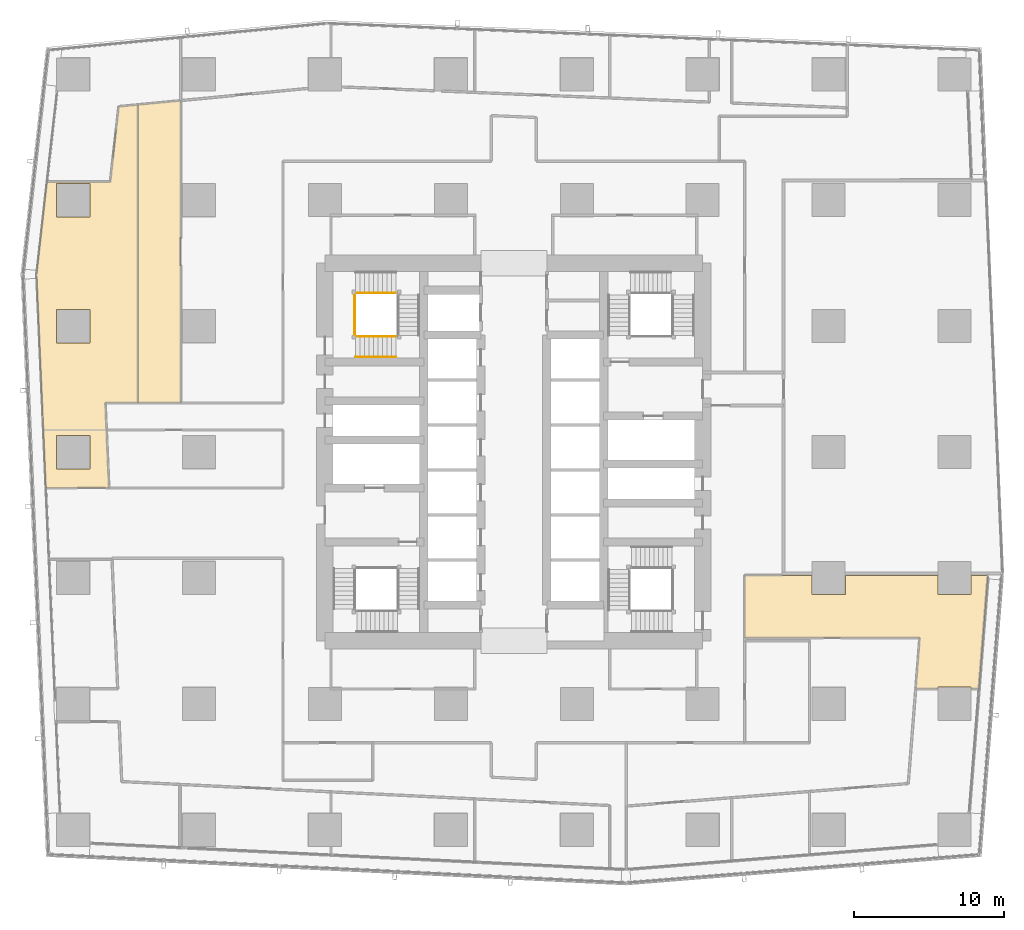
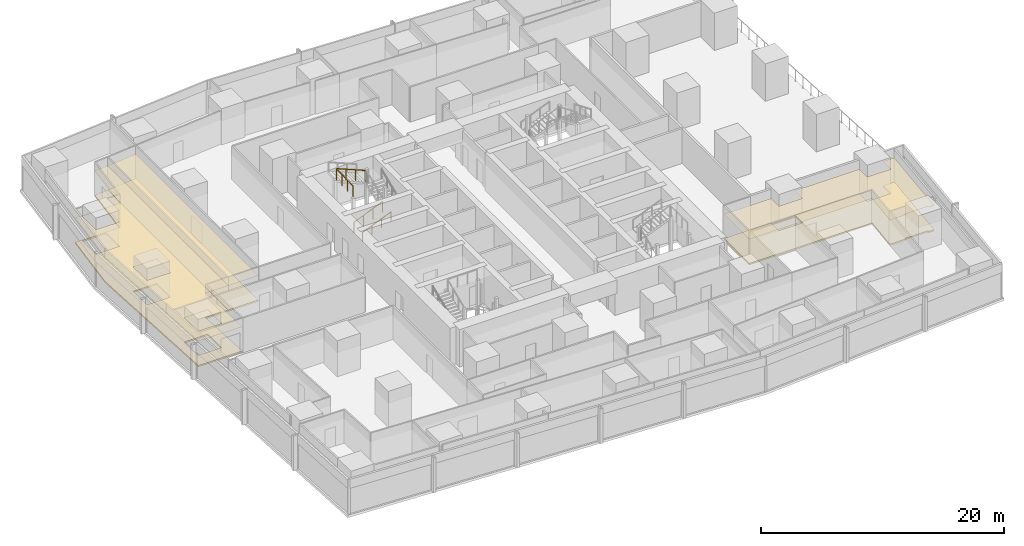
# One storey, part 38 of 42: 6 coverings, 4 railings.
"""IFC4 building model written with IfcOpenShell, lengths in metres."""

import ifcopenshell
import ifcopenshell.guid

model = None  # the IFC model being written
_history = None  # IfcOwnerHistory: only IFC2X3 demands one
_inside = {}  # id of a spatial element -> (the spatial element, [elements in it])
_under = {}  # id of a project, library or spatial element -> (it, [spatial elements below it])
_declared = {}  # id of a project -> (the project, [libraries it declares])
_typed = {}  # id of a type object -> (the type object, [elements of that type])
_made_of = {}  # id of a material, layer set ... -> (it, [elements and type objects made of it])


def new_model(schema):
    """Start an empty IFC model of exactly this schema.

    Asked for "IFC4X3", IfcOpenShell would pick the latest addendum, in which some entities
    have other attributes; the version numbers below select the first issue.
    IFC2X3 requires an IfcOwnerHistory on every rooted entity: one is made here for all.
    """
    global model, _history
    if schema == "IFC4X3":
        model = ifcopenshell.file(schema_version=(4, 3, 0, 0))
    else:
        model = ifcopenshell.file(schema=schema)
    _inside.clear()
    _under.clear()
    _declared.clear()
    _typed.clear()
    _made_of.clear()
    _history = None
    if model.schema == "IFC2X3":
        org = make("IfcOrganization", Name="unknown")
        user = make(
            "IfcPersonAndOrganization",
            ThePerson=make("IfcPerson", FamilyName="unknown"),
            TheOrganization=org,
        )
        app = make(
            "IfcApplication",
            ApplicationDeveloper=org,
            Version="unknown",
            ApplicationFullName="unknown",
            ApplicationIdentifier="unknown",
        )
        _history = make(
            "IfcOwnerHistory",
            OwningUser=user,
            OwningApplication=app,
            ChangeAction="ADDED",
            CreationDate=0,
        )
    return model


def make(cls, **values):
    """One entity of the class cls with the attributes given. An attribute that is None is left unset."""
    return model.create_entity(
        cls, **{name: value for name, value in values.items() if value is not None}
    )


def rooted(cls, **values):
    """An entity with a GlobalId (a new one), such as an element, a storey or a relation."""
    return make(cls, GlobalId=ifcopenshell.guid.new(), OwnerHistory=_history, **values)


def si_unit(unit_type, name, prefix=None):
    """IfcSIUnit, for example si_unit("LENGTHUNIT", "METRE", prefix="MILLI")."""
    return make("IfcSIUnit", UnitType=unit_type, Prefix=prefix, Name=name)


def assignment(units):
    """IfcUnitAssignment: the units of a project."""
    return None if units is None else make("IfcUnitAssignment", Units=units)


def point(xyz):
    """IfcCartesianPoint."""
    return None if xyz is None else make("IfcCartesianPoint", Coordinates=xyz)


def direction(xyz):
    """IfcDirection."""
    return None if xyz is None else make("IfcDirection", DirectionRatios=xyz)


def frame(location, z_axis=None, x_axis=None):
    """IfcAxis2Placement3D, a coordinate frame: its origin and axes. An axis left out is left unset."""
    return make(
        "IfcAxis2Placement3D",
        Location=point(location),
        Axis=direction(z_axis),
        RefDirection=direction(x_axis),
    )


def frame_2d(location, x_axis=None):
    """IfcAxis2Placement2D, a coordinate frame in the plane: its origin and x axis."""
    return make(
        "IfcAxis2Placement2D", Location=point(location), RefDirection=direction(x_axis)
    )


def origin():
    """The frame at (0, 0, 0) with its axes left unset."""
    return frame((0.0, 0.0, 0.0))


def origin_2d():
    """The frame at (0, 0) in the plane with its x axis left unset."""
    return frame_2d((0.0, 0.0))


def place(relative_to, where):
    """IfcLocalPlacement: puts the frame where relative to a parent placement (None: the world)."""
    return make(
        "IfcLocalPlacement", PlacementRelTo=relative_to, RelativePlacement=where
    )


def context(
    kind, dimensions, precision=None, world=None, true_north=None, identifier=None
):
    """IfcGeometricRepresentationContext, for example the 3D "Model" context."""
    return make(
        "IfcGeometricRepresentationContext",
        ContextIdentifier=identifier,
        ContextType=kind,
        CoordinateSpaceDimension=dimensions,
        Precision=precision,
        WorldCoordinateSystem=world,
        TrueNorth=true_north,
    )


def subcontext(parent, identifier, kind, view, scale=None):
    """IfcGeometricRepresentationSubContext, for example "Body" below "Model"."""
    return make(
        "IfcGeometricRepresentationSubContext",
        ContextIdentifier=identifier,
        ContextType=kind,
        ParentContext=parent,
        TargetScale=scale,
        TargetView=view,
    )


def project(units=None, contexts=None):
    """IfcProject with its units and contexts."""
    return rooted(
        "IfcProject",
        Name="project",
        RepresentationContexts=contexts,
        UnitsInContext=assignment(units),
    )


def spatial(cls, under=None, at=None, **own):
    """A site, building, storey or space (cls), placed at a placement, below another one or the project."""
    s = rooted(cls, ObjectPlacement=at, **own)
    if under is not None:
        _under.setdefault(under.id(), (under, []))[1].append(s)
    return s


def polyline(points):
    """IfcPolyline through the points."""
    return make("IfcPolyline", Points=[point(p) for p in points])


def profile(cls, at=None, kind="AREA", **sizes):
    """A parametric profile (cls). Its sizes go by their IFC names, for example OverallWidth=200.0."""
    return make(cls, ProfileType=kind, Position=at, **sizes)


def circle(**sizes):
    """IfcCircleProfileDef."""
    return profile("IfcCircleProfileDef", **sizes)


def outline(outer, holes=None, kind="AREA"):
    """IfcArbitraryClosedProfileDef: a profile drawn as a closed curve; with holes, ...WithVoids."""
    if holes is None:
        return make("IfcArbitraryClosedProfileDef", ProfileType=kind, OuterCurve=outer)
    return make(
        "IfcArbitraryProfileDefWithVoids",
        ProfileType=kind,
        OuterCurve=outer,
        InnerCurves=holes,
    )


def extrude(swept, where, along, depth):
    """IfcExtrudedAreaSolid: the profile swept, set in the frame where, extruded along a direction by depth."""
    return make(
        "IfcExtrudedAreaSolid",
        SweptArea=swept,
        Position=where,
        ExtrudedDirection=direction(along),
        Depth=depth,
    )


def shape(context_of_items, identifier, shape_type, items):
    """IfcShapeRepresentation: the items that make up one representation, for example the "Body"."""
    return make(
        "IfcShapeRepresentation",
        ContextOfItems=context_of_items,
        RepresentationIdentifier=identifier,
        RepresentationType=shape_type,
        Items=items,
    )


def material(Name=None, Category=None):
    """IfcMaterial."""
    return make("IfcMaterial", Name=Name, Category=Category)


def layer(
    of_material, thickness, ventilated=None, Name=None, Category=None, Priority=None
):
    """IfcMaterialLayer: one layer of a wall or slab, of a material (None: an air gap)."""
    return make(
        "IfcMaterialLayer",
        Material=of_material,
        LayerThickness=thickness,
        IsVentilated=ventilated,
        Name=Name,
        Category=Category,
        Priority=Priority,
    )


def layer_set(layers, Name=None):
    """IfcMaterialLayerSet."""
    return make("IfcMaterialLayerSet", MaterialLayers=layers, LayerSetName=Name)


def made_of(thing, what):
    """Note that an element or type object is made of a material, layer set ...; save() writes the relation."""
    if what is not None:
        _made_of.setdefault(what.id(), (what, []))[1].append(thing)
    return thing


def type_object(cls, material=None, **own):
    """A type object (cls), such as IfcWallType, which elements share."""
    return made_of(rooted(cls, **own), material)


def element(
    cls,
    number,
    at=None,
    inside=None,
    cuts=None,
    type_object=None,
    material=None,
    context=None,
    identifier="Body",
    shape_type=None,
    held_by="IfcProductDefinitionShape",
    body=None,
    shapes=None,
    **own,
):
    """One element of the class cls, such as IfcWall. Its Tag is "e" and its number.

    at: its placement. inside: the storey or other place that contains it. cuts: it is an
    opening in that element (IfcRelVoidsElement). A single representation is given by context,
    identifier, shape_type and body (its items); several are given by shapes. held_by: the class
    of the entity that holds the representations. save() writes the other relations.
    """
    e = rooted(cls, Tag="e%d" % number, ObjectPlacement=at, **own)
    if body is not None:
        shapes = [shape(context, identifier, shape_type, body)]
    if shapes is not None:
        e.Representation = make(held_by, Representations=shapes)
    if inside is not None:
        _inside.setdefault(inside.id(), (inside, []))[1].append(e)
    if cuts is not None:
        rooted(
            "IfcRelVoidsElement", RelatingBuildingElement=cuts, RelatedOpeningElement=e
        )
    if type_object is not None:
        _typed.setdefault(type_object.id(), (type_object, []))[1].append(e)
    return made_of(e, material)


def aggregate(whole, parts):
    """IfcRelAggregates: a whole, such as a stair, and the parts it consists of."""
    return rooted("IfcRelAggregates", RelatingObject=whole, RelatedObjects=parts)


def save(model, path):
    """Write the relations noted so far, then the file.

    IfcRelAggregates (storeys below a building ...), IfcRelContainedInSpatialStructure (elements
    in a storey), IfcRelDefinesByType, IfcRelAssociatesMaterial and IfcRelDeclares: one each for
    every whole, place, type object, material and project.
    """
    for whole, parts in _under.values():
        aggregate(whole, parts)
    for where, things in _inside.values():
        rooted(
            "IfcRelContainedInSpatialStructure",
            RelatedElements=things,
            RelatingStructure=where,
        )
    for kind, things in _typed.values():
        rooted("IfcRelDefinesByType", RelatedObjects=things, RelatingType=kind)
    for what, things in _made_of.values():
        rooted("IfcRelAssociatesMaterial", RelatedObjects=things, RelatingMaterial=what)
    for by, libraries in _declared.values():
        rooted("IfcRelDeclares", RelatingContext=by, RelatedDefinitions=libraries)
    model.write(path)


model = new_model("IFC4")

# Units and contexts
model_context = context("Model", 3, precision=1e-05, world=origin(), true_north=direction((0.0, 1.0)))
body_context = subcontext(model_context, "Body", "Model", "MODEL_VIEW")
ifc_project = project(units=[si_unit("LENGTHUNIT", "METRE"), si_unit("AREAUNIT", "SQUARE_METRE"), si_unit("VOLUMEUNIT", "CUBIC_METRE"), si_unit("PLANEANGLEUNIT", "RADIAN"), si_unit("MASSUNIT", "GRAM", prefix="KILO")], contexts=[model_context])

# Site, building, storey
site_placement = place(None, origin())
site = spatial("IfcSite", under=ifc_project, at=site_placement, CompositionType="ELEMENT")
building_placement = place(site_placement, origin())
building = spatial("IfcBuilding", under=site, at=building_placement, Name="Rekha Terrace Tower", CompositionType="ELEMENT")
storey_placement = place(building_placement, frame((0.0, 0.0, 40.39990234375)))
storey = spatial("IfcBuildingStorey", under=building, at=storey_placement, Name="L09", CompositionType="ELEMENT", Elevation=40.39990234375)

# Coverings
ifc_material_1 = material(Name="Mineral fibre tile in exposed grid", Category="finish")
ifc_layer_1 = layer(ifc_material_1, 0.02001953125)
ifc_layer_set_1 = layer_set([ifc_layer_1], Name="Mineral fibre tile in exposed grid")
covering_type_1 = type_object("IfcCoveringType", Name="CL1 600x1200 office grid ceiling", PredefinedType="CEILING", material=ifc_layer_set_1)
covering_1_placement = place(storey_placement, frame((0.0, 0.0, 2.580078125)))
element("IfcCovering", 1, at=covering_1_placement, inside=storey, type_object=covering_type_1, Name="Ceiling L09-04", PredefinedType="CEILING", context=body_context, shape_type="SweptSolid", body=[
    extrude(outline(polyline([(57.68505859375, 25.3701171875), (53.199951171875, 25.3701171875), (53.199951171875, 21.201904296875), (64.882080078125, 21.201904296875), (64.613037109375, 17.802001953125), (66.0849609375, 17.802001953125), (66.0849609375, 17.9150390625), (68.31494140625, 17.9150390625), (68.31494140625, 17.802001953125), (68.825927734375, 17.802001953125), (69.426025390625, 25.3701171875), (68.31494140625, 25.3701171875), (68.31494140625, 24.0849609375), (66.0849609375, 24.0849609375), (66.0849609375, 25.3701171875), (59.9150390625, 25.3701171875), (59.9150390625, 24.0849609375), (57.68505859375, 24.0849609375), (57.68505859375, 25.3701171875)])), origin(), (0.0, 0.0, 1.0), 0.02001953125),
])
covering_2_placement = place(storey_placement, frame((0.0, 0.0, 2.580078125)))
element("IfcCovering", 2, at=covering_2_placement, inside=storey, type_object=covering_type_1, Name="Ceiling L09-11", PredefinedType="CEILING", context=body_context, shape_type="SweptSolid", body=[
    extrude(outline(polyline([(10.883056640625, 51.617919921875), (6.656982421875, 51.617919921875), (5.962890625, 45.444091796875), (6.056884765625, 43.2939453125), (6.416015625, 35.075927734375), (6.5859375, 31.199951171875), (10.7900390625, 31.199951171875), (10.6201171875, 35.0791015625), (10.5849609375, 35.881103515625), (10.541015625, 36.8779296875), (12.717041015625, 36.8779296875), (12.717041015625, 56.76806640625), (11.447998046875, 56.64599609375), (10.91796875, 51.928955078125), (10.883056640625, 51.617919921875)]), holes=[polyline([(9.514892578125, 32.485107421875), (7.284912109375, 32.485107421875), (7.284912109375, 34.715087890625), (9.514892578125, 34.715087890625), (9.514892578125, 32.485107421875)]), polyline([(9.514892578125, 40.885009765625), (7.284912109375, 40.885009765625), (7.284912109375, 43.114990234375), (9.514892578125, 43.114990234375), (9.514892578125, 40.885009765625)]), polyline([(9.514892578125, 51.514892578125), (9.514892578125, 49.284912109375), (7.284912109375, 49.284912109375), (7.284912109375, 51.514892578125), (9.514892578125, 51.514892578125)])]), origin(), (0.0, 0.0, 1.0), 0.02001953125),
])
covering_3_placement = place(storey_placement, frame((0.0, 0.0, 2.580078125)))
element("IfcCovering", 3, at=covering_3_placement, inside=storey, type_object=covering_type_1, Name="Ceiling L09-12", PredefinedType="CEILING", context=body_context, shape_type="SweptSolid", body=[
    extrude(outline(polyline([(15.572021484375, 36.8779296875), (15.572021484375, 57.04296875), (12.717041015625, 56.76806640625), (12.717041015625, 36.8779296875), (15.572021484375, 36.8779296875)])), origin(), (0.0, 0.0, 1.0), 0.02001953125),
])

# Railings
ifc_material_2 = material(Name="Stainless steel balustrade", Category="steel")
railing_type_1 = type_object("IfcRailingType", Name="GR1 1100 stair guard", PredefinedType="GUARDRAIL", material=ifc_material_2)
railing_1_placement = place(storey_placement, frame((27.25, 41.31494140625, 0.125)))
element("IfcRailing", 4, at=railing_1_placement, inside=storey, type_object=railing_type_1, Name="Guard ST4 L09 flight 1", PredefinedType="GUARDRAIL", context=body_context, shape_type="SweptSolid", body=[
    extrude(circle(Radius=0.02392578125, at=origin_2d()), frame((0.0, 0.0, 1.076171875), z_axis=(0.923074453586, 0.0, 0.384621311341), x_axis=(0.0, 1.0, 0.0)), (0.0, 0.0, 1.0), 2.925048828125),
    extrude(circle(Radius=0.02099609375, at=origin_2d()), origin(), (0.0, 0.0, 1.0), 1.052001953125),
    extrude(circle(Radius=0.02099609375, at=origin_2d()), frame((0.89990234375, 0.0, 0.375)), (0.0, 0.0, 1.0), 1.052001953125),
    extrude(circle(Radius=0.02099609375, at=origin_2d()), frame((1.800048828125, 0.0, 0.75)), (0.0, 0.0, 1.0), 1.052001953125),
    extrude(circle(Radius=0.02099609375, at=origin_2d()), frame((2.699951171875, 0.0, 1.125)), (0.0, 0.0, 1.0), 1.052001953125),
])
railing_2_placement = place(storey_placement, frame((29.949951171875, 44.2099609375, 2.625)))
element("IfcRailing", 5, at=railing_2_placement, inside=storey, type_object=railing_type_1, Name="Guard ST4 L09 flight 3", PredefinedType="GUARDRAIL", context=body_context, shape_type="SweptSolid", body=[
    extrude(circle(Radius=0.02392578125, at=origin_2d()), frame((0.0, 0.0, 1.076171875), z_axis=(-0.923074453586, 0.0, 0.384621311341), x_axis=(0.0, -1.0, 0.0)), (0.0, 0.0, 1.0), 2.925048828125),
    extrude(circle(Radius=0.02099609375, at=origin_2d()), origin(), (0.0, 0.0, 1.0), 1.052001953125),
    extrude(circle(Radius=0.02099609375, at=origin_2d()), frame((-0.89990234375, 0.0, 0.375)), (0.0, 0.0, 1.0), 1.052001953125),
    extrude(circle(Radius=0.02099609375, at=origin_2d()), frame((-1.800048828125, 0.0, 0.75)), (0.0, 0.0, 1.0), 1.052001953125),
    extrude(circle(Radius=0.02099609375, at=origin_2d()), frame((-2.699951171875, 0.0, 1.125)), (0.0, 0.0, 1.0), 1.052001953125),
])
railing_3_placement = place(storey_placement, frame((27.18994140625, 41.375, 3.75)))
element("IfcRailing", 6, at=railing_3_placement, inside=storey, type_object=railing_type_1, Name="Guard ST4 L09 landing 4", PredefinedType="GUARDRAIL", context=body_context, shape_type="SweptSolid", body=[
    extrude(circle(Radius=0.02392578125, at=origin_2d()), frame((0.0, 0.0, 1.076171875), z_axis=(0.0, 1.0, 0.0), x_axis=(-1.0, 0.0, 0.0)), (0.0, 0.0, 1.0), 2.77490234375),
    extrude(circle(Radius=0.02099609375, at=origin_2d()), origin(), (0.0, 0.0, 1.0), 1.052001953125),
    extrude(circle(Radius=0.02099609375, at=origin_2d()), frame((0.0, 0.925048828125, 0.0)), (0.0, 0.0, 1.0), 1.052001953125),
    extrude(circle(Radius=0.02099609375, at=origin_2d()), frame((0.0, 1.849853515625, 0.0)), (0.0, 0.0, 1.0), 1.052001953125),
    extrude(circle(Radius=0.02099609375, at=origin_2d()), frame((0.0, 2.77490234375, 0.0)), (0.0, 0.0, 1.0), 1.052001953125),
])
ifc_material_3 = material(Name="Stainless steel tube", Category="steel")
railing_type_2 = type_object("IfcRailingType", Name="HR1 900 stair handrail", PredefinedType="HANDRAIL", material=ifc_material_3)
railing_4_placement = place(storey_placement, frame((27.25, 39.93505859375, 0.125)))
element("IfcRailing", 7, at=railing_4_placement, inside=storey, type_object=railing_type_2, Name="Handrail ST4 L09 flight 1", PredefinedType="HANDRAIL", context=body_context, shape_type="SweptSolid", body=[
    extrude(circle(Radius=0.02392578125, at=origin_2d()), frame((0.0, 0.0, 0.8759765625), z_axis=(0.923074453586, 0.0, 0.384621311341), x_axis=(0.0, 1.0, 0.0)), (0.0, 0.0, 1.0), 2.925048828125),
    extrude(circle(Radius=0.02099609375, at=origin_2d()), origin(), (0.0, 0.0, 1.0), 0.851806640625),
    extrude(circle(Radius=0.02099609375, at=origin_2d()), frame((0.89990234375, 0.0, 0.375)), (0.0, 0.0, 1.0), 0.851806640625),
    extrude(circle(Radius=0.02099609375, at=origin_2d()), frame((1.800048828125, 0.0, 0.75)), (0.0, 0.0, 1.0), 0.851806640625),
    extrude(circle(Radius=0.02099609375, at=origin_2d()), frame((2.699951171875, 0.0, 1.125)), (0.0, 0.0, 1.0), 0.851806640625),
])

# Coverings
ifc_material_4 = material(Name="Calcium sulphate panels on steel pedestals", Category="steel")
ifc_layer_2 = layer(ifc_material_4, 0.14990234375)
ifc_layer_set_2 = layer_set([ifc_layer_2], Name="Calcium sulphate panels on steel pedestals")
covering_type_2 = type_object("IfcCoveringType", Name="RF1 150 raised access floor", PredefinedType="FLOORING", material=ifc_layer_set_2)
covering_4_placement = place(storey_placement, origin())
element("IfcCovering", 8, at=covering_4_placement, inside=storey, type_object=covering_type_2, Name="Raised floor L09-04", PredefinedType="FLOORING", context=body_context, shape_type="SweptSolid", body=[
    extrude(outline(polyline([(57.68505859375, 25.3701171875), (53.199951171875, 25.3701171875), (53.199951171875, 21.201904296875), (64.882080078125, 21.201904296875), (64.613037109375, 17.802001953125), (66.0849609375, 17.802001953125), (66.0849609375, 17.9150390625), (68.31494140625, 17.9150390625), (68.31494140625, 17.802001953125), (68.825927734375, 17.802001953125), (69.426025390625, 25.3701171875), (68.31494140625, 25.3701171875), (68.31494140625, 24.0849609375), (66.0849609375, 24.0849609375), (66.0849609375, 25.3701171875), (59.9150390625, 25.3701171875), (59.9150390625, 24.0849609375), (57.68505859375, 24.0849609375), (57.68505859375, 25.3701171875)])), origin(), (0.0, 0.0, 1.0), 0.150146484375),
])
covering_5_placement = place(storey_placement, origin())
element("IfcCovering", 9, at=covering_5_placement, inside=storey, type_object=covering_type_2, Name="Raised floor L09-11", PredefinedType="FLOORING", context=body_context, shape_type="SweptSolid", body=[
    extrude(outline(polyline([(10.883056640625, 51.617919921875), (6.656982421875, 51.617919921875), (5.962890625, 45.444091796875), (6.056884765625, 43.2939453125), (6.416015625, 35.075927734375), (6.5859375, 31.199951171875), (10.7900390625, 31.199951171875), (10.6201171875, 35.0791015625), (10.5849609375, 35.881103515625), (10.541015625, 36.8779296875), (12.717041015625, 36.8779296875), (12.717041015625, 56.76806640625), (11.447998046875, 56.64599609375), (10.91796875, 51.928955078125), (10.883056640625, 51.617919921875)]), holes=[polyline([(9.514892578125, 32.485107421875), (7.284912109375, 32.485107421875), (7.284912109375, 34.715087890625), (9.514892578125, 34.715087890625), (9.514892578125, 32.485107421875)]), polyline([(9.514892578125, 40.885009765625), (7.284912109375, 40.885009765625), (7.284912109375, 43.114990234375), (9.514892578125, 43.114990234375), (9.514892578125, 40.885009765625)]), polyline([(9.514892578125, 51.514892578125), (9.514892578125, 49.284912109375), (7.284912109375, 49.284912109375), (7.284912109375, 51.514892578125), (9.514892578125, 51.514892578125)])]), origin(), (0.0, 0.0, 1.0), 0.150146484375),
])
covering_6_placement = place(storey_placement, origin())
element("IfcCovering", 10, at=covering_6_placement, inside=storey, type_object=covering_type_2, Name="Raised floor L09-12", PredefinedType="FLOORING", context=body_context, shape_type="SweptSolid", body=[
    extrude(outline(polyline([(15.572021484375, 36.8779296875), (15.572021484375, 57.04296875), (12.717041015625, 56.76806640625), (12.717041015625, 36.8779296875), (15.572021484375, 36.8779296875)])), origin(), (0.0, 0.0, 1.0), 0.150146484375),
])

save(model, "model.ifc")
